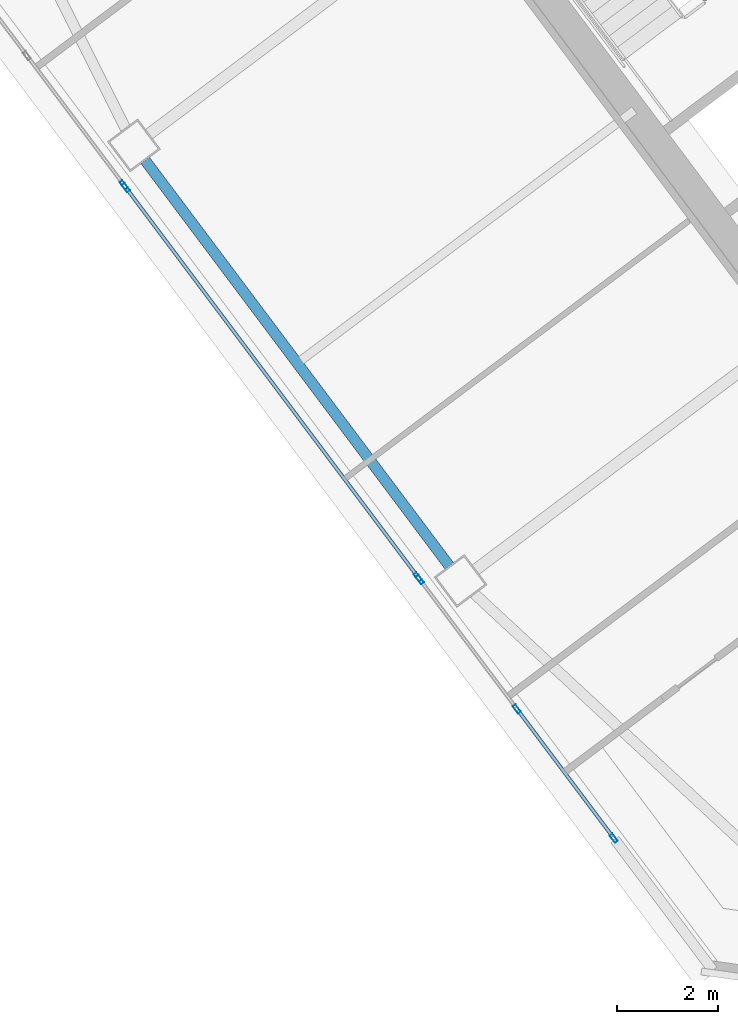
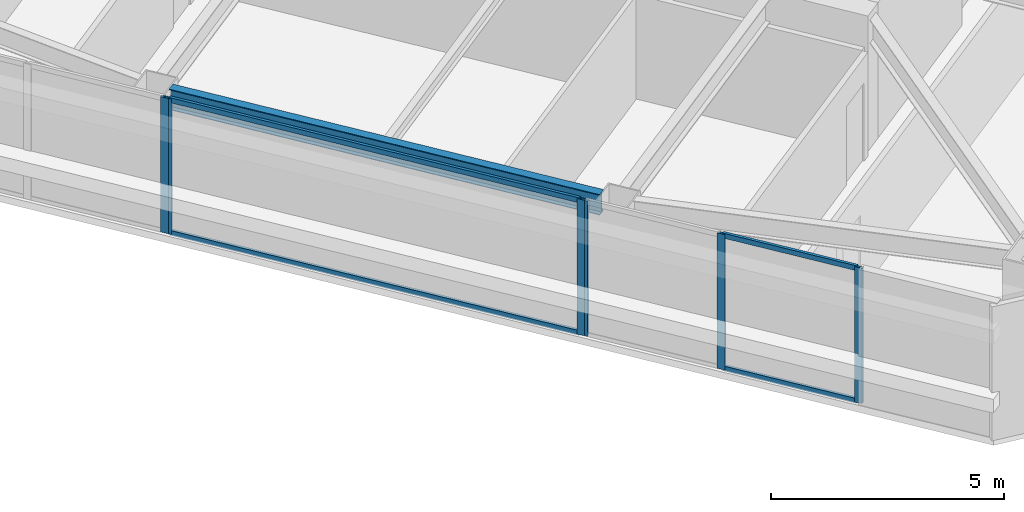
# One storey, part 17 of 43: 10 members, 1 beam, 3 elements without a shape of their own.
"""IFC4 building model written with IfcOpenShell, lengths in metres."""

from ifc_helpers import new_model, si_unit, direction, frame, origin, origin_2d, place, context, subcontext, project, spatial, hollow_rectangle, i_section, extrude, material, material_profile, profile_set, type_object, element, aggregate, save


model = new_model("IFC4")

# Units and contexts
model_context = context("Model", 3, precision=1e-05, world=origin(), true_north=direction((0.0, 1.0)))
body_context = subcontext(model_context, "Body", "Model", "MODEL_VIEW")
ifc_project = project(units=[si_unit("LENGTHUNIT", "METRE"), si_unit("AREAUNIT", "SQUARE_METRE"), si_unit("VOLUMEUNIT", "CUBIC_METRE"), si_unit("PLANEANGLEUNIT", "RADIAN"), si_unit("MASSUNIT", "GRAM", prefix="KILO")], contexts=[model_context])

# Site, building, storey
site_placement = place(None, origin())
site = spatial("IfcSite", under=ifc_project, at=site_placement, CompositionType="ELEMENT")
building_placement = place(site_placement, origin())
building = spatial("IfcBuilding", under=site, at=building_placement, Name="Tashvorn Skyway Center", CompositionType="ELEMENT")
storey_placement = place(building_placement, frame((0.0, 0.0, 160.550048828125)))
storey = spatial("IfcBuildingStorey", under=building, at=storey_placement, Name="L43", CompositionType="ELEMENT", Elevation=160.550048828125)

# Beam
ifc_material_1 = material(Name="Steel ASTM A992 Grade 50", Category="steel")
ifc_material_profile_1 = material_profile(ifc_material_1, i_section(OverallWidth=0.2109375, OverallDepth=0.5390625, WebThickness=0.01171875, FlangeThickness=0.018798828125, at=origin_2d()), Name="W21X73")
ifc_profile_set_1 = profile_set([ifc_material_profile_1], Name="Steel ASTM A992 Grade 50")
beam_type = type_object("IfcBeamType", Name="BM-SPANDREL-W21X73", PredefinedType="SPANDREL", material=ifc_profile_set_1)
beam_placement = place(storey_placement, frame((98.06201171875, 26.333984375, 3.100341796875), z_axis=(0.599988351091, -0.800008736549, 0.0), x_axis=(0.800008736549, 0.599988351091, 0.0)))
element("IfcBeam", 1, at=beam_placement, inside=storey, type_object=beam_type, Name="Tower 2 L43 Spandrel Beam 11", PredefinedType="SPANDREL", context=body_context, shape_type="SweptSolid", body=[
    extrude(i_section(OverallWidth=0.2109375, OverallDepth=0.5390625, WebThickness=0.01171875, FlangeThickness=0.018798828125, at=origin_2d()), origin(), (0.0, 0.0, 1.0), 10.06005859375),
])

# Curtain wall, members
ifc_material_2 = material(Name="Thermally broken bronze-anodized aluminium 6063-T6", Category="aluminium")
curtain_wall_type = type_object("IfcCurtainWallType", Name="CW-CW-Z4", PredefinedType="NOTDEFINED", material=ifc_material_2)
curtain_wall_1_placement = place(storey_placement, origin())
curtain_wall_1 = element("IfcCurtainWall", 2, at=curtain_wall_1_placement, inside=storey, type_object=curtain_wall_type, Name="Tower 2 L43 West Unitised Curtain Wall Glazing Group 1", PredefinedType="NOTDEFINED")
ifc_material_profile_2 = material_profile(ifc_material_2, hollow_rectangle(XDim=0.070068359375, YDim=0.179931640625, WallThickness=0.00390625, at=origin_2d()), Name="ALU-MULL-70x180")
ifc_profile_set_2 = profile_set([ifc_material_profile_2], Name="Thermally broken bronze-anodized aluminium 6063-T6")
member_type_1 = type_object("IfcMemberType", Name="CWM-CW-Z4", PredefinedType="MULLION", material=ifc_profile_set_2)
member_1_placement = place(storey_placement, frame((107.35888671875, 12.887939453125, 0.0), z_axis=(0.0, 0.0, 1.0), x_axis=(-0.799999999998, -0.600000000002, 0.0)))
member_1 = element("IfcMember", 3, at=member_1_placement, type_object=member_type_1, Name="CW-Z4 mullion 1", PredefinedType="MULLION", context=body_context, shape_type="SweptSolid", body=[
    extrude(hollow_rectangle(XDim=0.070068359375, YDim=0.179931640625, WallThickness=0.00390625, at=origin_2d()), origin(), (0.0, 0.0, 1.0), 3.550048828125),
])
member_2_placement = place(storey_placement, frame((105.43603515625, 15.451904296875, 0.0), z_axis=(0.0, 0.0, 1.0), x_axis=(-0.799999999998, -0.600000000002, 0.0)))
member_2 = element("IfcMember", 4, at=member_2_placement, type_object=member_type_1, Name="CW-Z4 mullion 2", PredefinedType="MULLION", context=body_context, shape_type="SweptSolid", body=[
    extrude(hollow_rectangle(XDim=0.070068359375, YDim=0.179931640625, WallThickness=0.00390625, at=origin_2d()), origin(), (0.0, 0.0, 1.0), 3.550048828125),
])
member_3_placement = place(storey_placement, frame((103.512939453125, 18.01611328125, 0.0), z_axis=(0.0, 0.0, 1.0), x_axis=(-0.799999999998, -0.600000000002, 0.0)))
member_3 = element("IfcMember", 5, at=member_3_placement, type_object=member_type_1, Name="CW-Z4 mullion 3", PredefinedType="MULLION", context=body_context, shape_type="SweptSolid", body=[
    extrude(hollow_rectangle(XDim=0.070068359375, YDim=0.179931640625, WallThickness=0.00390625, at=origin_2d()), origin(), (0.0, 0.0, 1.0), 3.550048828125),
])

curtain_wall_2_placement = place(storey_placement, origin())
curtain_wall_2 = element("IfcCurtainWall", 6, at=curtain_wall_2_placement, inside=storey, type_object=curtain_wall_type, Name="Tower 2 L43 West Unitised Curtain Wall Glazing Group 2", PredefinedType="NOTDEFINED")
member_4_placement = place(storey_placement, frame((103.470947265625, 18.072021484375, 0.0), z_axis=(0.0, 0.0, 1.0), x_axis=(-0.799999999998, -0.600000000002, 0.0)))
member_4 = element("IfcMember", 7, at=member_4_placement, type_object=member_type_1, Name="CW-Z4 mullion 1", PredefinedType="MULLION", context=body_context, shape_type="SweptSolid", body=[
    extrude(hollow_rectangle(XDim=0.070068359375, YDim=0.179931640625, WallThickness=0.00390625, at=origin_2d()), origin(), (0.0, 0.0, 1.0), 3.550048828125),
])
member_5_placement = place(storey_placement, frame((97.680908203125, 25.7919921875, 0.0), z_axis=(0.0, 0.0, 1.0), x_axis=(-0.799999999998, -0.600000000002, 0.0)))
member_5 = element("IfcMember", 8, at=member_5_placement, type_object=member_type_1, Name="CW-Z4 mullion 2", PredefinedType="MULLION", context=body_context, shape_type="SweptSolid", body=[
    extrude(hollow_rectangle(XDim=0.070068359375, YDim=0.179931640625, WallThickness=0.00390625, at=origin_2d()), origin(), (0.0, 0.0, 1.0), 3.550048828125),
])

# Curtain wall, member
curtain_wall_3_placement = place(storey_placement, origin())
curtain_wall_3 = element("IfcCurtainWall", 9, at=curtain_wall_3_placement, inside=storey, type_object=curtain_wall_type, Name="Tower 2 L43 West Unitised Curtain Wall Glazing Group 3", PredefinedType="NOTDEFINED")
member_6_placement = place(storey_placement, frame((97.638916015625, 25.847900390625, 0.0), z_axis=(0.0, 0.0, 1.0), x_axis=(-0.799999999998, -0.600000000002, 0.0)))
member_6 = element("IfcMember", 10, at=member_6_placement, type_object=member_type_1, Name="CW-Z4 mullion 1", PredefinedType="MULLION", context=body_context, shape_type="SweptSolid", body=[
    extrude(hollow_rectangle(XDim=0.070068359375, YDim=0.179931640625, WallThickness=0.00390625, at=origin_2d()), origin(), (0.0, 0.0, 1.0), 3.550048828125),
])
aggregate(curtain_wall_3, [member_6])

# Member
ifc_material_profile_3 = material_profile(ifc_material_2, hollow_rectangle(XDim=0.070068359375, YDim=0.1298828125, WallThickness=0.00390625, at=origin_2d()), Name="ALU-TRAN-70x130")
ifc_profile_set_3 = profile_set([ifc_material_profile_3], Name="Thermally broken bronze-anodized aluminium 6063-T6")
member_type_2 = type_object("IfcMemberType", Name="CWT-CW-Z4", PredefinedType="USERDEFINED", material=ifc_profile_set_3)
member_7_placement = place(storey_placement, frame((107.337890625, 12.916015625, 0.034912109375), z_axis=(-0.599962618496, 0.800028034763, 0.0), x_axis=(-0.800028034763, -0.599962618496, 0.0)))
member_7 = element("IfcMember", 11, at=member_7_placement, type_object=member_type_2, Name="CW-Z4 transom 1.1", ObjectType="TRANSOM", PredefinedType="USERDEFINED", context=body_context, shape_type="SweptSolid", body=[
    extrude(hollow_rectangle(XDim=0.070068359375, YDim=0.1298828125, WallThickness=0.00390625, at=origin_2d()), origin(), (0.0, 0.0, 1.0), 3.135009765625),
])

member_8_placement = place(storey_placement, frame((107.337890625, 12.916015625, 3.514892578125), z_axis=(-0.599962618496, 0.800028034763, 0.0), x_axis=(-0.800028034763, -0.599962618496, 0.0)))
member_8 = element("IfcMember", 12, at=member_8_placement, type_object=member_type_2, Name="CW-Z4 transom 1.2", ObjectType="TRANSOM", PredefinedType="USERDEFINED", context=body_context, shape_type="SweptSolid", body=[
    extrude(hollow_rectangle(XDim=0.070068359375, YDim=0.1298828125, WallThickness=0.00390625, at=origin_2d()), origin(), (0.0, 0.0, 1.0), 3.135009765625),
])

aggregate(curtain_wall_1, [member_1, member_2, member_3, member_7, member_8])

member_9_placement = place(storey_placement, frame((103.449951171875, 18.10009765625, 0.034912109375), z_axis=(-0.600012232595, 0.799990825408, 0.0), x_axis=(-0.799990825408, -0.600012232595, 0.0)))
member_9 = element("IfcMember", 13, at=member_9_placement, type_object=member_type_2, Name="CW-Z4 transom 1.1", ObjectType="TRANSOM", PredefinedType="USERDEFINED", context=body_context, shape_type="SweptSolid", body=[
    extrude(hollow_rectangle(XDim=0.070068359375, YDim=0.1298828125, WallThickness=0.00390625, at=origin_2d()), origin(), (0.0, 0.0, 1.0), 9.579833984375),
])

member_10_placement = place(storey_placement, frame((103.449951171875, 18.10009765625, 3.514892578125), z_axis=(-0.600012232595, 0.799990825408, 0.0), x_axis=(-0.799990825408, -0.600012232595, 0.0)))
member_10 = element("IfcMember", 14, at=member_10_placement, type_object=member_type_2, Name="CW-Z4 transom 1.2", ObjectType="TRANSOM", PredefinedType="USERDEFINED", context=body_context, shape_type="SweptSolid", body=[
    extrude(hollow_rectangle(XDim=0.070068359375, YDim=0.1298828125, WallThickness=0.00390625, at=origin_2d()), origin(), (0.0, 0.0, 1.0), 9.579833984375),
])

aggregate(curtain_wall_2, [member_4, member_5, member_9, member_10])

save(model, "model.ifc")
